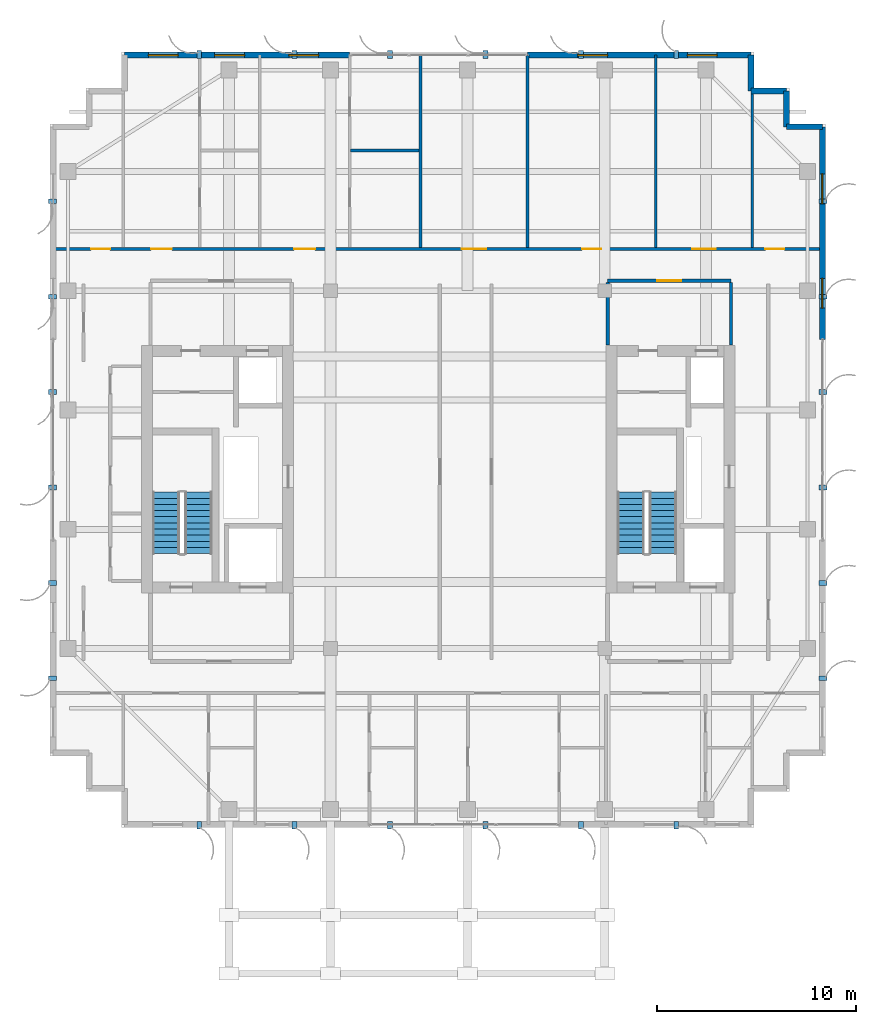
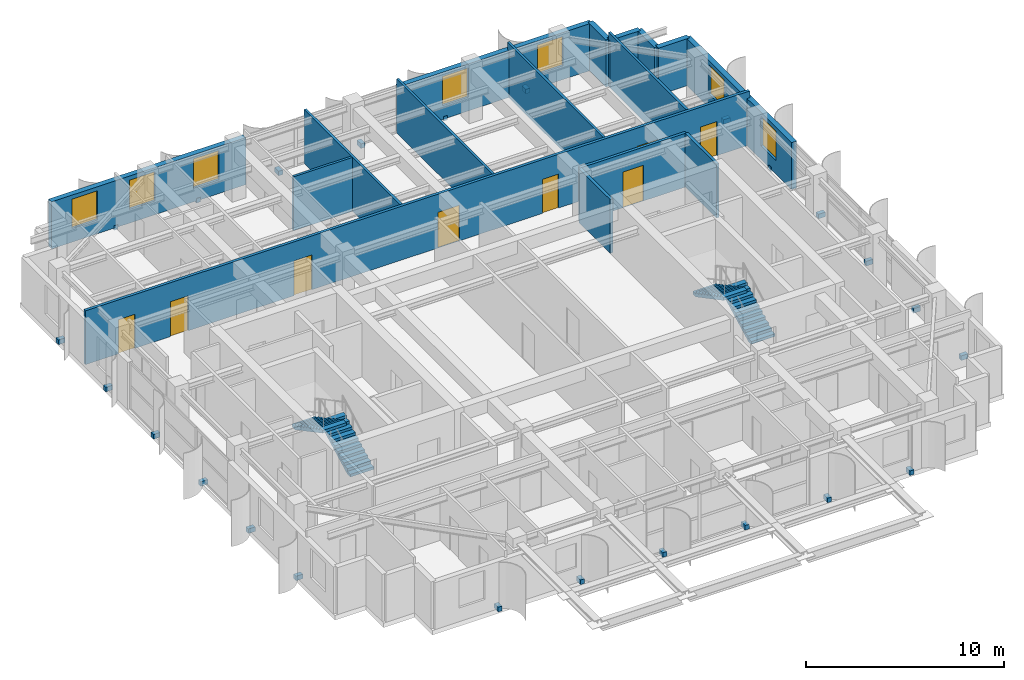
# One storey, part 17 of 19: 24 discrete accessories, 16 walls, 8 doors, 7 windows, 4 stair flights, 15 openings, 2 elements without a shape of their own.
"""IFC4 building model written with IfcOpenShell, lengths in metres."""

from ifc_helpers import new_model, si_unit, direction, frame, frame_2d, origin, origin_2d, place, context, subcontext, project, spatial, polyline, rectangle, outline, extrude, source, transform, mapped, material, layer, layer_set, type_object, element, fill, aggregate, save


model = new_model("IFC4")

# Units and contexts
model_context = context("Model", 3, precision=1e-05, world=origin(), true_north=direction((0.0, 1.0)))
body_context = subcontext(model_context, "Body", "Model", "MODEL_VIEW")
ifc_project = project(units=[si_unit("LENGTHUNIT", "METRE"), si_unit("AREAUNIT", "SQUARE_METRE"), si_unit("VOLUMEUNIT", "CUBIC_METRE"), si_unit("PLANEANGLEUNIT", "RADIAN"), si_unit("MASSUNIT", "GRAM", prefix="KILO")], contexts=[model_context])

# Site, building, storey
site_placement = place(None, origin())
site = spatial("IfcSite", under=ifc_project, at=site_placement, CompositionType="ELEMENT")
building_placement = place(site_placement, origin())
building = spatial("IfcBuilding", under=site, at=building_placement, Name="Khoralis Quay Care Tower", CompositionType="ELEMENT")
storey_placement = place(building_placement, frame((0.0, 0.0, 281.699951171875)))
storey = spatial("IfcBuildingStorey", under=building, at=storey_placement, Name="L74", CompositionType="ELEMENT", Elevation=281.699951171875)

# Wall, opening, door
ifc_material_1 = material(Name="Gypsum plasterboard on acoustic metal stud")
ifc_layer_1 = layer(ifc_material_1, 0.1650390625)
ifc_layer_set_1 = layer_set([ifc_layer_1], Name="Gypsum plasterboard on acoustic metal stud")
wall_type_1 = type_object("IfcWallType", Name="WL-CORR-165", PredefinedType="PARTITIONING", material=ifc_layer_set_1)
wall_1_placement = place(storey_placement, frame((31.050048828125, 30.5, 0.0), z_axis=(0.0, 0.0, 1.0), x_axis=(1.0, 0.0, 0.0)))
wall_1 = element("IfcWall", 1, at=wall_1_placement, inside=storey, type_object=wall_type_1, Name="L74 East Lift Lobby North Wall", PredefinedType="PARTITIONING", context=body_context, shape_type="SweptSolid", body=[
    extrude(rectangle(XDim=6.199951171875, YDim=0.1650390625, at=frame_2d((3.10009765625, 0.0))), origin(), (0.0, 0.0, 1.0), 3.320068359375),
])
opening_1_placement = place(wall_1_placement, frame((2.5, 0.0, 0.0)))
opening_1 = element("IfcOpeningElement", 2, at=opening_1_placement, cuts=wall_1, Name="Opening FD1", PredefinedType="OPENING", context=body_context, shape_type="SweptSolid", body=[
    extrude(rectangle(XDim=1.199951171875, YDim=2.199951171875, at=frame_2d((0.60009765625, 1.10009765625))), frame((0.0, 0.092529296875, 0.0), z_axis=(0.0, -1.0, 0.0), x_axis=(1.0, 0.0, 0.0)), (0.0, 0.0, 1.0), 0.18505859375),
])
ifc_material_2 = material(Name="Fire-rated painted steel", Category="steel")
door_type_1 = type_object("IfcDoorType", Name="DR-FFL-1200X2200", OperationType="NOTDEFINED", PredefinedType="DOOR", material=ifc_material_2)
shared_shape_1 = source(origin(), body_context, "Body", "SweptSolid", [
    extrude(rectangle(XDim=1.199951171875, YDim=2.199951171875, at=frame_2d((0.60009765625, 1.10009765625))), frame((0.0, 0.02490234375, 0.0), z_axis=(0.0, -1.0, 0.0), x_axis=(1.0, 0.0, 0.0)), (0.0, 0.0, 1.0), 0.050048828125),
])
door_1_placement = place(opening_1_placement, origin())
door_1 = element("IfcDoor", 3, at=door_1_placement, inside=storey, type_object=door_type_1, Name="L74 East Lift Lobby Double Door", OperationType="DOUBLE_DOOR_SINGLE_SWING", OverallHeight=2.199951171875, OverallWidth=1.199951171875, PredefinedType="DOOR", context=body_context, shape_type="MappedRepresentation", body=[
    mapped(shared_shape_1, transform((0.0, 0.0, 0.0), scale=1.0)),
])
fill(opening_1, door_1)

# Walls
for number, where, z_axis, x_axis, name in (
    (4, (31.050048828125, 27.27001953125, 0.0), (0.0, 0.0, 1.0), (0.0, 1.0, 0.0), "L74 East Lift Lobby West Wall"),
    (5, (37.25, 27.27001953125, 0.0), (0.0, 0.0, 1.0), (0.0, 1.0, 0.0), "L74 East Lift Lobby East Wall"),
):
    element("IfcWall", number, at=place(storey_placement, frame(where, z_axis=z_axis, x_axis=x_axis)), inside=storey, type_object=wall_type_1, Name=name, PredefinedType="PARTITIONING", context=body_context, shape_type="SweptSolid", body=[
        extrude(rectangle(XDim=3.152587890625, YDim=0.1650390625, at=frame_2d((1.576171875, 0.0))), origin(), (0.0, 0.0, 1.0), 3.320068359375),
    ])

# Wall, openings, doors
wall_2_placement = place(storey_placement, frame((3.14501953125, 32.10009765625, 0.0), z_axis=(0.0, 0.0, 1.0), x_axis=(1.0, 0.0, 0.0)))
wall_2 = element("IfcWall", 6, at=wall_2_placement, inside=storey, type_object=wall_type_1, Name="L74 North Main Corridor Wall", PredefinedType="PARTITIONING", context=body_context, shape_type="SweptSolid", body=[
    extrude(rectangle(XDim=38.7099609375, YDim=0.1650390625, at=frame_2d((19.35498046875, 0.0))), origin(), (0.0, 0.0, 1.0), 3.320068359375),
])
opening_2_placement = place(wall_2_placement, frame((4.930908203125, 0.0, 0.0)))
opening_2 = element("IfcOpeningElement", 7, at=opening_2_placement, cuts=wall_2, Name="Opening UD1", PredefinedType="OPENING", context=body_context, shape_type="SweptSolid", body=[
    extrude(rectangle(XDim=1.050048828125, YDim=2.14990234375, at=frame_2d((0.52490234375, 1.074951171875))), frame((0.0, 0.092529296875, 0.0), z_axis=(0.0, -1.0, 0.0), x_axis=(1.0, 0.0, 0.0)), (0.0, 0.0, 1.0), 0.18505859375),
])
opening_3_placement = place(wall_2_placement, frame((12.135009765625, 0.0, 0.0)))
opening_3 = element("IfcOpeningElement", 8, at=opening_3_placement, cuts=wall_2, Name="Opening UD1", PredefinedType="OPENING", context=body_context, shape_type="SweptSolid", body=[
    extrude(rectangle(XDim=1.050048828125, YDim=2.14990234375, at=frame_2d((0.52490234375, 1.074951171875))), frame((0.0, 0.092529296875, 0.0), z_axis=(0.0, -1.0, 0.0), x_axis=(1.0, 0.0, 0.0)), (0.0, 0.0, 1.0), 0.18505859375),
])
opening_4_placement = place(wall_2_placement, frame((20.550048828125, 0.0, 0.0)))
opening_4 = element("IfcOpeningElement", 9, at=opening_4_placement, cuts=wall_2, Name="Opening CD1", PredefinedType="OPENING", context=body_context, shape_type="SweptSolid", body=[
    extrude(rectangle(XDim=1.25, YDim=2.199951171875, at=frame_2d((0.625, 1.10009765625))), frame((0.0, 0.092529296875, 0.0), z_axis=(0.0, -1.0, 0.0), x_axis=(1.0, 0.0, 0.0)), (0.0, 0.0, 1.0), 0.18505859375),
])
opening_5_placement = place(wall_2_placement, frame((26.6201171875, 0.0, 0.0)))
opening_5 = element("IfcOpeningElement", 10, at=opening_5_placement, cuts=wall_2, Name="Opening ID1", PredefinedType="OPENING", context=body_context, shape_type="SweptSolid", body=[
    extrude(rectangle(XDim=0.949951171875, YDim=2.10009765625, at=frame_2d((0.47509765625, 1.050048828125))), frame((0.0, 0.092529296875, 0.0), z_axis=(0.0, -1.0, 0.0), x_axis=(1.0, 0.0, 0.0)), (0.0, 0.0, 1.0), 0.18505859375),
])
opening_6_placement = place(wall_2_placement, frame((32.14990234375, 0.0, 0.0)))
opening_6 = element("IfcOpeningElement", 11, at=opening_6_placement, cuts=wall_2, Name="Opening FD1", PredefinedType="OPENING", context=body_context, shape_type="SweptSolid", body=[
    extrude(rectangle(XDim=1.199951171875, YDim=2.199951171875, at=frame_2d((0.60009765625, 1.10009765625))), frame((0.0, 0.092529296875, 0.0), z_axis=(0.0, -1.0, 0.0), x_axis=(1.0, 0.0, 0.0)), (0.0, 0.0, 1.0), 0.18505859375),
])
opening_7_placement = place(wall_2_placement, frame((1.919921875, 0.0, 0.0)))
opening_7 = element("IfcOpeningElement", 12, at=opening_7_placement, cuts=wall_2, Name="Opening ID1", PredefinedType="OPENING", context=body_context, shape_type="SweptSolid", body=[
    extrude(rectangle(XDim=0.949951171875, YDim=2.10009765625, at=frame_2d((0.47509765625, 1.050048828125))), frame((0.0, 0.092529296875, 0.0), z_axis=(0.0, -1.0, 0.0), x_axis=(1.0, 0.0, 0.0)), (0.0, 0.0, 1.0), 0.18505859375),
])
opening_8_placement = place(wall_2_placement, frame((35.840087890625, 0.0, 0.0)))
opening_8 = element("IfcOpeningElement", 13, at=opening_8_placement, cuts=wall_2, Name="Opening ID1", PredefinedType="OPENING", context=body_context, shape_type="SweptSolid", body=[
    extrude(rectangle(XDim=0.949951171875, YDim=2.10009765625, at=frame_2d((0.47509765625, 1.050048828125))), frame((0.0, 0.092529296875, 0.0), z_axis=(0.0, -1.0, 0.0), x_axis=(1.0, 0.0, 0.0)), (0.0, 0.0, 1.0), 0.18505859375),
])
door_2_placement = place(opening_6_placement, origin())
door_2 = element("IfcDoor", 14, at=door_2_placement, inside=storey, type_object=door_type_1, Name="L74 Senior Wellness Pharmacy Shop Door", OperationType="DOUBLE_DOOR_SINGLE_SWING", OverallHeight=2.199951171875, OverallWidth=1.199951171875, PredefinedType="DOOR", context=body_context, shape_type="MappedRepresentation", body=[
    mapped(shared_shape_1, transform((0.0, 0.0, 0.0), scale=1.0)),
])
fill(opening_6, door_2)
ifc_material_3 = material(Name="Acoustic hardwood timber", Category="wood")
door_type_2 = type_object("IfcDoorType", Name="DR-CARE-1250X2200", OperationType="NOTDEFINED", PredefinedType="DOOR", material=ifc_material_3)
shared_shape_2 = source(origin(), body_context, "Body", "SweptSolid", [
    extrude(rectangle(XDim=1.25, YDim=2.199951171875, at=frame_2d((0.625, 1.10009765625))), frame((0.0, 0.02490234375, 0.0), z_axis=(0.0, -1.0, 0.0), x_axis=(1.0, 0.0, 0.0)), (0.0, 0.0, 1.0), 0.050048828125),
])
door_3_placement = place(opening_4_placement, origin())
door_3 = element("IfcDoor", 15, at=door_3_placement, inside=storey, type_object=door_type_2, Name="L74 Geriatric Consultation Clinic Door", OperationType="SINGLE_SWING_RIGHT", OverallHeight=2.199951171875, OverallWidth=1.25, PredefinedType="DOOR", context=body_context, shape_type="MappedRepresentation", body=[
    mapped(shared_shape_2, transform((0.0, 0.0, 0.0), scale=1.0)),
])
fill(opening_4, door_3)
door_type_3 = type_object("IfcDoorType", Name="DR-ROOM-950X2100", OperationType="NOTDEFINED", PredefinedType="DOOR", material=ifc_material_3)
shared_shape_3 = source(origin(), body_context, "Body", "SweptSolid", [
    extrude(rectangle(XDim=0.949951171875, YDim=2.10009765625, at=frame_2d((0.47509765625, 1.050048828125))), frame((0.0, 0.02490234375, 0.0), z_axis=(0.0, -1.0, 0.0), x_axis=(1.0, 0.0, 0.0)), (0.0, 0.0, 1.0), 0.050048828125),
])
door_4_placement = place(opening_5_placement, origin())
door_4 = element("IfcDoor", 16, at=door_4_placement, inside=storey, type_object=door_type_3, Name="L74 Family Case Conference Room Door", OperationType="SINGLE_SWING_RIGHT", OverallHeight=2.10009765625, OverallWidth=0.949951171875, PredefinedType="DOOR", context=body_context, shape_type="MappedRepresentation", body=[
    mapped(shared_shape_3, transform((0.0, 0.0, 0.0), scale=1.0)),
])
fill(opening_5, door_4)
door_5_placement = place(opening_7_placement, origin())
door_5 = element("IfcDoor", 17, at=door_5_placement, inside=storey, type_object=door_type_3, Name="L74 NW Corner Door", OperationType="SINGLE_SWING_RIGHT", OverallHeight=2.10009765625, OverallWidth=0.949951171875, PredefinedType="DOOR", context=body_context, shape_type="MappedRepresentation", body=[
    mapped(shared_shape_3, transform((0.0, 0.0, 0.0), scale=1.0)),
])
fill(opening_7, door_5)
door_6_placement = place(opening_8_placement, origin())
door_6 = element("IfcDoor", 18, at=door_6_placement, inside=storey, type_object=door_type_3, Name="L74 NE Corner Door", OperationType="SINGLE_SWING_LEFT", OverallHeight=2.10009765625, OverallWidth=0.949951171875, PredefinedType="DOOR", context=body_context, shape_type="MappedRepresentation", body=[
    mapped(shared_shape_3, transform((0.0, 0.0, 0.0), scale=1.0)),
])
fill(opening_8, door_6)
door_type_4 = type_object("IfcDoorType", Name="DR-SUITE-1050X2150", OperationType="NOTDEFINED", PredefinedType="DOOR", material=ifc_material_3)
shared_shape_4 = source(origin(), body_context, "Body", "SweptSolid", [
    extrude(rectangle(XDim=1.050048828125, YDim=2.14990234375, at=frame_2d((0.52490234375, 1.074951171875))), frame((0.0, 0.02490234375, 0.0), z_axis=(0.0, -1.0, 0.0), x_axis=(1.0, 0.0, 0.0)), (0.0, 0.0, 1.0), 0.050048828125),
])
door_7_placement = place(opening_2_placement, origin())
door_7 = element("IfcDoor", 19, at=door_7_placement, inside=storey, type_object=door_type_4, Name="L74 Studio NB0 Entrance", OperationType="SINGLE_SWING_RIGHT", OverallHeight=2.14990234375, OverallWidth=1.050048828125, PredefinedType="DOOR", context=body_context, shape_type="MappedRepresentation", body=[
    mapped(shared_shape_4, transform((0.0, 0.0, 0.0), scale=1.0)),
])
fill(opening_2, door_7)
door_8_placement = place(opening_3_placement, origin())
door_8 = element("IfcDoor", 20, at=door_8_placement, inside=storey, type_object=door_type_4, Name="L74 Studio NB1 Entrance", OperationType="SINGLE_SWING_LEFT", OverallHeight=2.14990234375, OverallWidth=1.050048828125, PredefinedType="DOOR", context=body_context, shape_type="MappedRepresentation", body=[
    mapped(shared_shape_4, transform((0.0, 0.0, 0.0), scale=1.0)),
])
fill(opening_3, door_8)

# Wall, openings, windows
ifc_material_4 = material(Name="Precast concrete C45/55", Category="concrete")
ifc_layer_2 = layer(ifc_material_4, 0.300048828125)
ifc_layer_set_2 = layer_set([ifc_layer_2], Name="Precast concrete C45/55")
wall_type_2 = type_object("IfcWallType", Name="WL-EXT-REF-300", PredefinedType="SOLIDWALL", material=ifc_layer_set_2)
wall_3_placement = place(storey_placement, frame((41.85009765625, 27.5400390625, 0.0), z_axis=(0.0, 0.0, 1.0), x_axis=(0.0, 1.0, 0.0)))
wall_3 = element("IfcWall", 21, at=wall_3_placement, inside=storey, type_object=wall_type_2, Name="L74 External Facade Wall WL-EXT-L74-P1-E5B", PredefinedType="SOLIDWALL", context=body_context, shape_type="SweptSolid", body=[
    extrude(rectangle(XDim=10.7099609375, YDim=0.300048828125, at=frame_2d((5.35498046875, 0.0))), origin(), (0.0, 0.0, 1.0), 2.900146484375),
])
opening_9_placement = place(wall_3_placement, frame((1.580078125, 0.0, 0.85009765625)))
opening_9 = element("IfcOpeningElement", 22, at=opening_9_placement, cuts=wall_3, Name="Opening W3", PredefinedType="OPENING", context=body_context, shape_type="SweptSolid", body=[
    extrude(rectangle(XDim=1.5, YDim=1.800048828125, at=frame_2d((0.75, 0.89990234375))), frame((0.0, 0.16015625, 0.0), z_axis=(0.0, -1.0, 0.0), x_axis=(1.0, 0.0, 0.0)), (0.0, 0.0, 1.0), 0.320068359375),
])
opening_10_placement = place(wall_3_placement, frame((6.8349609375, 0.0, 0.85009765625)))
opening_10 = element("IfcOpeningElement", 23, at=opening_10_placement, cuts=wall_3, Name="Opening W3", PredefinedType="OPENING", context=body_context, shape_type="SweptSolid", body=[
    extrude(rectangle(XDim=1.5, YDim=1.800048828125, at=frame_2d((0.75, 0.89990234375))), frame((0.0, 0.16015625, 0.0), z_axis=(0.0, -1.0, 0.0), x_axis=(1.0, 0.0, 0.0)), (0.0, 0.0, 1.0), 0.320068359375),
])
ifc_material_5 = material(Name="Low-E solar-control double glazing", Category="glass")
window_type = type_object("IfcWindowType", Name="WN-CLIN-1500X1800", PartitioningType="SINGLE_PANEL", PredefinedType="WINDOW", material=ifc_material_5)
shared_shape_5 = source(origin(), body_context, "Body", "SweptSolid", [
    extrude(rectangle(XDim=1.5, YDim=1.800048828125, at=frame_2d((0.75, 0.89990234375))), frame((0.0, 0.030029296875, 0.0), z_axis=(0.0, -1.0, 0.0), x_axis=(1.0, 0.0, 0.0)), (0.0, 0.0, 1.0), 0.06005859375),
])
window_1_placement = place(opening_9_placement, origin())
window_1 = element("IfcWindow", 24, at=window_1_placement, inside=storey, type_object=window_type, Name="WN-L74-P1-E5B Facade Window 01", OverallHeight=1.800048828125, OverallWidth=1.5, PartitioningType="SINGLE_PANEL", PredefinedType="WINDOW", context=body_context, shape_type="MappedRepresentation", body=[
    mapped(shared_shape_5, transform((0.0, 0.0, 0.0), scale=1.0)),
])
fill(opening_9, window_1)
window_2_placement = place(opening_10_placement, origin())
window_2 = element("IfcWindow", 25, at=window_2_placement, inside=storey, type_object=window_type, Name="WN-L74-P1-E5B Facade Window 02", OverallHeight=1.800048828125, OverallWidth=1.5, PartitioningType="SINGLE_PANEL", PredefinedType="WINDOW", context=body_context, shape_type="MappedRepresentation", body=[
    mapped(shared_shape_5, transform((0.0, 0.0, 0.0), scale=1.0)),
])
fill(opening_10, window_2)

# Walls
for number, where, z_axis, x_axis, name in (
    (26, (41.85009765625, 38.25, 0.0), (0.0, 0.0, 1.0), (-1.0, 0.0, 0.0), "L74 External Facade Wall WL-EXT-L74-P1-C6"),
    (27, (40.050048828125, 38.25, 0.0), (0.0, 0.0, 1.0), (0.0, 1.0, 0.0), "L74 External Facade Wall WL-EXT-L74-P1-C7"),
    (28, (40.050048828125, 40.050048828125, 0.0), (0.0, 0.0, 1.0), (-1.0, 0.0, 0.0), "L74 External Facade Wall WL-EXT-L74-P1-C8"),
    (29, (38.25, 40.050048828125, 0.0), (0.0, 0.0, 1.0), (0.0, 1.0, 0.0), "L74 External Facade Wall WL-EXT-L74-P1-C9"),
):
    element("IfcWall", number, at=place(storey_placement, frame(where, z_axis=z_axis, x_axis=x_axis)), inside=storey, type_object=wall_type_2, Name=name, PredefinedType="SOLIDWALL", context=body_context, shape_type="SweptSolid", body=[
        extrude(rectangle(XDim=1.800048828125, YDim=0.300048828125, at=frame_2d((0.89990234375, 0.0))), origin(), (0.0, 0.0, 1.0), 2.900146484375),
    ])

# Wall, openings, windows
wall_4_placement = place(storey_placement, frame((38.25, 41.85009765625, 0.0), z_axis=(0.0, 0.0, 1.0), x_axis=(-1.0, 0.0, 0.0)))
wall_4 = element("IfcWall", 30, at=wall_4_placement, inside=storey, type_object=wall_type_2, Name="L74 External Facade Wall WL-EXT-L74-P1-E10A", PredefinedType="SOLIDWALL", context=body_context, shape_type="SweptSolid", body=[
    extrude(rectangle(XDim=11.239990234375, YDim=0.300048828125, at=frame_2d((5.6201171875, 0.0))), origin(), (0.0, 0.0, 1.0), 2.900146484375),
])
opening_11_placement = place(wall_4_placement, frame((1.68994140625, 0.0, 0.85009765625)))
opening_11 = element("IfcOpeningElement", 31, at=opening_11_placement, cuts=wall_4, Name="Opening W3", PredefinedType="OPENING", context=body_context, shape_type="SweptSolid", body=[
    extrude(rectangle(XDim=1.5, YDim=1.800048828125, at=frame_2d((0.75, 0.89990234375))), frame((0.0, 0.16015625, 0.0), z_axis=(0.0, -1.0, 0.0), x_axis=(1.0, 0.0, 0.0)), (0.0, 0.0, 1.0), 0.320068359375),
])
opening_12_placement = place(wall_4_placement, frame((7.2099609375, 0.0, 0.85009765625)))
opening_12 = element("IfcOpeningElement", 32, at=opening_12_placement, cuts=wall_4, Name="Opening W3", PredefinedType="OPENING", context=body_context, shape_type="SweptSolid", body=[
    extrude(rectangle(XDim=1.5, YDim=1.800048828125, at=frame_2d((0.75, 0.89990234375))), frame((0.0, 0.16015625, 0.0), z_axis=(0.0, -1.0, 0.0), x_axis=(1.0, 0.0, 0.0)), (0.0, 0.0, 1.0), 0.320068359375),
])
window_3_placement = place(opening_11_placement, origin())
window_3 = element("IfcWindow", 33, at=window_3_placement, inside=storey, type_object=window_type, Name="WN-L74-P1-E10A Facade Window 01", OverallHeight=1.800048828125, OverallWidth=1.5, PartitioningType="SINGLE_PANEL", PredefinedType="WINDOW", context=body_context, shape_type="MappedRepresentation", body=[
    mapped(shared_shape_5, transform((0.0, 0.0, 0.0), scale=1.0)),
])
fill(opening_11, window_3)
window_4_placement = place(opening_12_placement, origin())
window_4 = element("IfcWindow", 34, at=window_4_placement, inside=storey, type_object=window_type, Name="WN-L74-P1-E10A Facade Window 02", OverallHeight=1.800048828125, OverallWidth=1.5, PartitioningType="SINGLE_PANEL", PredefinedType="WINDOW", context=body_context, shape_type="MappedRepresentation", body=[
    mapped(shared_shape_5, transform((0.0, 0.0, 0.0), scale=1.0)),
])
fill(opening_12, window_4)

wall_5_placement = place(storey_placement, frame((18.070068359375, 41.85009765625, 0.0), z_axis=(0.0, 0.0, 1.0), x_axis=(-1.0, 0.0, 0.0)))
wall_5 = element("IfcWall", 35, at=wall_5_placement, inside=storey, type_object=wall_type_2, Name="L74 External Facade Wall WL-EXT-L74-P1-E10B", PredefinedType="SOLIDWALL", context=body_context, shape_type="SweptSolid", body=[
    extrude(rectangle(XDim=11.320068359375, YDim=0.300048828125, at=frame_2d((5.66015625, 0.0))), origin(), (0.0, 0.0, 1.0), 2.900146484375),
])
opening_13_placement = place(wall_5_placement, frame((1.56494140625, 0.0, 0.85009765625)))
opening_13 = element("IfcOpeningElement", 36, at=opening_13_placement, cuts=wall_5, Name="Opening W3", PredefinedType="OPENING", context=body_context, shape_type="SweptSolid", body=[
    extrude(rectangle(XDim=1.5, YDim=1.800048828125, at=frame_2d((0.75, 0.89990234375))), frame((0.0, 0.16015625, 0.0), z_axis=(0.0, -1.0, 0.0), x_axis=(1.0, 0.0, 0.0)), (0.0, 0.0, 1.0), 0.320068359375),
])
opening_14_placement = place(wall_5_placement, frame((5.2890625, 0.0, 0.85009765625)))
opening_14 = element("IfcOpeningElement", 37, at=opening_14_placement, cuts=wall_5, Name="Opening W3", PredefinedType="OPENING", context=body_context, shape_type="SweptSolid", body=[
    extrude(rectangle(XDim=1.5, YDim=1.800048828125, at=frame_2d((0.75, 0.89990234375))), frame((0.0, 0.16015625, 0.0), z_axis=(0.0, -1.0, 0.0), x_axis=(1.0, 0.0, 0.0)), (0.0, 0.0, 1.0), 0.320068359375),
])
opening_15_placement = place(wall_5_placement, frame((8.634033203125, 0.0, 0.85009765625)))
opening_15 = element("IfcOpeningElement", 38, at=opening_15_placement, cuts=wall_5, Name="Opening W3", PredefinedType="OPENING", context=body_context, shape_type="SweptSolid", body=[
    extrude(rectangle(XDim=1.5, YDim=1.800048828125, at=frame_2d((0.75, 0.89990234375))), frame((0.0, 0.16015625, 0.0), z_axis=(0.0, -1.0, 0.0), x_axis=(1.0, 0.0, 0.0)), (0.0, 0.0, 1.0), 0.320068359375),
])
window_5_placement = place(opening_13_placement, origin())
window_5 = element("IfcWindow", 39, at=window_5_placement, inside=storey, type_object=window_type, Name="WN-L74-P1-E10B Facade Window 01", OverallHeight=1.800048828125, OverallWidth=1.5, PartitioningType="SINGLE_PANEL", PredefinedType="WINDOW", context=body_context, shape_type="MappedRepresentation", body=[
    mapped(shared_shape_5, transform((0.0, 0.0, 0.0), scale=1.0)),
])
fill(opening_13, window_5)
window_6_placement = place(opening_14_placement, origin())
window_6 = element("IfcWindow", 40, at=window_6_placement, inside=storey, type_object=window_type, Name="WN-L74-P1-E10B Facade Window 02", OverallHeight=1.800048828125, OverallWidth=1.5, PartitioningType="SINGLE_PANEL", PredefinedType="WINDOW", context=body_context, shape_type="MappedRepresentation", body=[
    mapped(shared_shape_5, transform((0.0, 0.0, 0.0), scale=1.0)),
])
fill(opening_14, window_6)
window_7_placement = place(opening_15_placement, origin())
window_7 = element("IfcWindow", 41, at=window_7_placement, inside=storey, type_object=window_type, Name="WN-L74-P1-E10B Facade Window 03", OverallHeight=1.800048828125, OverallWidth=1.5, PartitioningType="SINGLE_PANEL", PredefinedType="WINDOW", context=body_context, shape_type="MappedRepresentation", body=[
    mapped(shared_shape_5, transform((0.0, 0.0, 0.0), scale=1.0)),
])
fill(opening_15, window_7)

# Walls
ifc_material_6 = material(Name="Moisture-resistant gypsum and ceramic tile")
ifc_layer_3 = layer(ifc_material_6, 0.280029296875)
ifc_layer_set_3 = layer_set([ifc_layer_3], Name="Moisture-resistant gypsum and ceramic tile")
wall_type_3 = type_object("IfcWallType", Name="WL-PLUMB-280", PredefinedType="PLUMBINGWALL", material=ifc_layer_set_3)
wall_6_placement = place(storey_placement, frame((18.12255859375, 37.050048828125, 0.0), z_axis=(0.0, 0.0, 1.0), x_axis=(1.0, 0.0, 0.0)))
element("IfcWall", 42, at=wall_6_placement, inside=storey, type_object=wall_type_3, Name="L74 Studio 1 Wet Split", PredefinedType="PLUMBINGWALL", context=body_context, shape_type="SweptSolid", body=[
    extrude(rectangle(XDim=3.4423828125, YDim=0.139892578125, at=frame_2d((1.72119140625, 0.0))), origin(), (0.0, 0.0, 1.0), 3.320068359375),
])
ifc_layer_4 = layer(ifc_material_1, 0.139892578125)
ifc_layer_set_4 = layer_set([ifc_layer_4], Name="Gypsum plasterboard on acoustic metal stud")
wall_type_4 = type_object("IfcWallType", Name="WL-UNIT-140", PredefinedType="PARTITIONING", material=ifc_layer_set_4)
for number, where, z_axis, x_axis, name in (
    (43, (21.6298828125, 32.177490234375, 0.0), (0.0, 0.0, 1.0), (0.0, 1.0, 0.0), "L74 NB Demising Wall 2"),
    (44, (27.010009765625, 32.177490234375, 0.0), (0.0, 0.0, 1.0), (0.0, 1.0, 0.0), "L74 NB Demising Wall 3"),
    (45, (33.469970703125, 32.177490234375, 0.0), (0.0, 0.0, 1.0), (0.0, 1.0, 0.0), "L74 NB Demising Wall 4"),
):
    element("IfcWall", number, at=place(storey_placement, frame(where, z_axis=z_axis, x_axis=x_axis)), inside=storey, type_object=wall_type_4, Name=name, PredefinedType="PARTITIONING", context=body_context, shape_type="SweptSolid", body=[
        extrude(rectangle(XDim=9.677490234375, YDim=0.139892578125, at=frame_2d((4.8388671875, 0.0))), origin(), (0.0, 0.0, 1.0), 3.320068359375),
    ])
wall_7_placement = place(storey_placement, frame((38.320068359375, 32.177490234375, 0.0), z_axis=(0.0, 0.0, 1.0), x_axis=(0.0, 1.0, 0.0)))
element("IfcWall", 46, at=wall_7_placement, inside=storey, type_object=wall_type_4, Name="L74 NB Demising Wall 5", PredefinedType="PARTITIONING", context=body_context, shape_type="SweptSolid", body=[
    extrude(rectangle(XDim=7.87744140625, YDim=0.139892578125, at=frame_2d((3.938720703125, 0.0))), origin(), (0.0, 0.0, 1.0), 3.320068359375),
])

# Stair, stair flights
stair_type = type_object("IfcStairType", Name="ST-TWR-DOGLEG-1400", PredefinedType="HALF_TURN_STAIR", material=ifc_material_4)
stair_1_placement = place(storey_placement, origin())
stair_1 = element("IfcStair", 47, at=stair_1_placement, inside=storey, type_object=stair_type, Name="L74 West Core Exit Stair ST-T1", PredefinedType="HALF_TURN_STAIR")
stair_flight_type = type_object("IfcStairFlightType", Name="SF-TWR-1400", PredefinedType="STRAIGHT", material=ifc_material_4)
shared_shape_6 = source(origin(), body_context, "Body", "SweptSolid", [
    extrude(outline(polyline([(0.0, 0.0), (0.0, 0.16357421875), (0.31005859375, 0.16357421875), (0.31005859375, 0.327392578125), (0.6201171875, 0.327392578125), (0.6201171875, 0.490966796875), (0.929931640625, 0.490966796875), (0.929931640625, 0.654541015625), (1.239990234375, 0.654541015625), (1.239990234375, 0.818115234375), (1.550048828125, 0.818115234375), (1.550048828125, 0.98193359375), (1.860107421875, 0.98193359375), (1.860107421875, 1.1455078125), (2.169921875, 1.1455078125), (2.169921875, 1.30908203125), (2.47998046875, 1.30908203125), (2.47998046875, 1.47265625), (2.7900390625, 1.47265625), (2.7900390625, 1.636474609375), (3.10009765625, 1.636474609375), (3.10009765625, 1.800048828125), (3.10009765625, 1.466796875), (0.321044921875, 0.0), (0.0, 0.0)])), frame((0.0, 0.68994140625, 0.0), z_axis=(0.0, -1.0, 0.0), x_axis=(1.0, 0.0, 0.0)), (0.0, 0.0, 1.0), 1.3798828125),
])
stair_flight_1_placement = place(storey_placement, frame((10.4599609375, 16.77001953125, 0.0), z_axis=(0.0, 0.0, 1.0), x_axis=(0.0, 1.0, 0.0)))
stair_flight_1 = element("IfcStairFlight", 48, at=stair_flight_1_placement, type_object=stair_flight_type, Name="ST-T1 flight 1", NumberOfRisers=11, NumberOfTreads=10, PredefinedType="STRAIGHT", RiserHeight=0.163636364, TreadLength=0.31, context=body_context, shape_type="MappedRepresentation", body=[
    mapped(shared_shape_6, transform((0.0, 0.0, 0.0), scale=1.0)),
])
stair_flight_2_placement = place(storey_placement, frame((8.840087890625, 19.8701171875, 1.800048828125), z_axis=(0.0, 0.0, 1.0), x_axis=(0.0, -1.0, 0.0)))
stair_flight_2 = element("IfcStairFlight", 49, at=stair_flight_2_placement, type_object=stair_flight_type, Name="ST-T1 flight 2", NumberOfRisers=11, NumberOfTreads=10, PredefinedType="STRAIGHT", RiserHeight=0.163636364, TreadLength=0.31, context=body_context, shape_type="MappedRepresentation", body=[
    mapped(shared_shape_6, transform((0.0, 0.0, 0.0), scale=1.0)),
])
aggregate(stair_1, [stair_flight_1, stair_flight_2])

stair_2_placement = place(storey_placement, origin())
stair_2 = element("IfcStair", 50, at=stair_2_placement, inside=storey, type_object=stair_type, Name="L74 East Core Exit Stair ST-T2", PredefinedType="HALF_TURN_STAIR")
stair_flight_3_placement = place(storey_placement, frame((33.830078125, 16.77001953125, 0.0), z_axis=(0.0, 0.0, 1.0), x_axis=(0.0, 1.0, 0.0)))
stair_flight_3 = element("IfcStairFlight", 51, at=stair_flight_3_placement, type_object=stair_flight_type, Name="ST-T2 flight 1", NumberOfRisers=11, NumberOfTreads=10, PredefinedType="STRAIGHT", RiserHeight=0.163636364, TreadLength=0.31, context=body_context, shape_type="MappedRepresentation", body=[
    mapped(shared_shape_6, transform((0.0, 0.0, 0.0), scale=1.0)),
])
stair_flight_4_placement = place(storey_placement, frame((32.2099609375, 19.8701171875, 1.800048828125), z_axis=(0.0, 0.0, 1.0), x_axis=(0.0, -1.0, 0.0)))
stair_flight_4 = element("IfcStairFlight", 52, at=stair_flight_4_placement, type_object=stair_flight_type, Name="ST-T2 flight 2", NumberOfRisers=11, NumberOfTreads=10, PredefinedType="STRAIGHT", RiserHeight=0.163636364, TreadLength=0.31, context=body_context, shape_type="MappedRepresentation", body=[
    mapped(shared_shape_6, transform((0.0, 0.0, 0.0), scale=1.0)),
])
aggregate(stair_2, [stair_flight_3, stair_flight_4])

# Discrete accessories
ifc_material_7 = material(Name="Brushed stainless steel", Category="steel")
discrete_accessory_type = type_object("IfcDiscreteAccessoryType", Name="ACC-FIN-BRACKET", PredefinedType="BRACKET", material=ifc_material_7)
shared_shape_7 = source(origin(), body_context, "Body", "SweptSolid", [
    extrude(rectangle(XDim=0.39990234375, YDim=0.239990234375, at=origin_2d()), origin(), (0.0, 0.0, 1.0), 0.280029296875),
])
for number, where, z_axis, x_axis, name in (
    (53, (10.5, 3.110107421875, -0.1201171875), (0.0, 0.0, 1.0), (0.0, -1.0, 0.0), "L74 Solar Fin Bracket P1E0-01"),
    (54, (15.300048828125, 3.110107421875, -0.1201171875), (0.0, 0.0, 1.0), (0.0, -1.0, 0.0), "L74 Solar Fin Bracket P1E0-02"),
    (55, (20.10009765625, 3.110107421875, -0.1201171875), (0.0, 0.0, 1.0), (0.0, -1.0, 0.0), "L74 Solar Fin Bracket P1E0-03"),
    (56, (24.89990234375, 3.110107421875, -0.1201171875), (0.0, 0.0, 1.0), (0.0, -1.0, 0.0), "L74 Solar Fin Bracket P1E0-04"),
    (57, (29.699951171875, 3.110107421875, -0.1201171875), (0.0, 0.0, 1.0), (0.0, -1.0, 0.0), "L74 Solar Fin Bracket P1E0-05"),
    (58, (34.5, 3.110107421875, -0.1201171875), (0.0, 0.0, 1.0), (0.0, -1.0, 0.0), "L74 Solar Fin Bracket P1E0-06"),
    (59, (41.889892578125, 10.5, -0.1201171875), (0.0, 0.0, 1.0), (1.0, 0.0, 0.0), "L74 Solar Fin Bracket P1E5-01"),
    (60, (41.889892578125, 15.300048828125, -0.1201171875), (0.0, 0.0, 1.0), (1.0, 0.0, 0.0), "L74 Solar Fin Bracket P1E5-02"),
    (61, (41.889892578125, 20.10009765625, -0.1201171875), (0.0, 0.0, 1.0), (1.0, 0.0, 0.0), "L74 Solar Fin Bracket P1E5-03"),
    (62, (41.889892578125, 24.89990234375, -0.1201171875), (0.0, 0.0, 1.0), (1.0, 0.0, 0.0), "L74 Solar Fin Bracket P1E5-04"),
    (63, (41.889892578125, 29.699951171875, -0.1201171875), (0.0, 0.0, 1.0), (1.0, 0.0, 0.0), "L74 Solar Fin Bracket P1E5-05"),
    (64, (41.889892578125, 34.5, -0.1201171875), (0.0, 0.0, 1.0), (1.0, 0.0, 0.0), "L74 Solar Fin Bracket P1E5-06"),
    (65, (34.5, 41.889892578125, -0.1201171875), (0.0, 0.0, 1.0), (0.0, 1.0, 0.0), "L74 Solar Fin Bracket P1E10-01"),
    (66, (29.699951171875, 41.889892578125, -0.1201171875), (0.0, 0.0, 1.0), (0.0, 1.0, 0.0), "L74 Solar Fin Bracket P1E10-02"),
    (67, (24.89990234375, 41.889892578125, -0.1201171875), (0.0, 0.0, 1.0), (0.0, 1.0, 0.0), "L74 Solar Fin Bracket P1E10-03"),
    (68, (20.10009765625, 41.889892578125, -0.1201171875), (0.0, 0.0, 1.0), (0.0, 1.0, 0.0), "L74 Solar Fin Bracket P1E10-04"),
    (69, (15.300048828125, 41.889892578125, -0.1201171875), (0.0, 0.0, 1.0), (0.0, 1.0, 0.0), "L74 Solar Fin Bracket P1E10-05"),
    (70, (10.5, 41.889892578125, -0.1201171875), (0.0, 0.0, 1.0), (0.0, 1.0, 0.0), "L74 Solar Fin Bracket P1E10-06"),
    (71, (3.110107421875, 34.5, -0.1201171875), (0.0, 0.0, 1.0), (-1.0, 0.0, 0.0), "L74 Solar Fin Bracket P1E15-01"),
    (72, (3.110107421875, 29.699951171875, -0.1201171875), (0.0, 0.0, 1.0), (-1.0, 0.0, 0.0), "L74 Solar Fin Bracket P1E15-02"),
    (73, (3.110107421875, 24.89990234375, -0.1201171875), (0.0, 0.0, 1.0), (-1.0, 0.0, 0.0), "L74 Solar Fin Bracket P1E15-03"),
    (74, (3.110107421875, 20.10009765625, -0.1201171875), (0.0, 0.0, 1.0), (-1.0, 0.0, 0.0), "L74 Solar Fin Bracket P1E15-04"),
    (75, (3.110107421875, 15.300048828125, -0.1201171875), (0.0, 0.0, 1.0), (-1.0, 0.0, 0.0), "L74 Solar Fin Bracket P1E15-05"),
    (76, (3.110107421875, 10.5, -0.1201171875), (0.0, 0.0, 1.0), (-1.0, 0.0, 0.0), "L74 Solar Fin Bracket P1E15-06"),
):
    element("IfcDiscreteAccessory", number, at=place(storey_placement, frame(where, z_axis=z_axis, x_axis=x_axis)), inside=storey, type_object=discrete_accessory_type, Name=name, PredefinedType="BRACKET", context=body_context, shape_type="MappedRepresentation", body=[
        mapped(shared_shape_7, transform((0.0, 0.0, 0.0), scale=1.0)),
    ])

save(model, "model.ifc")
